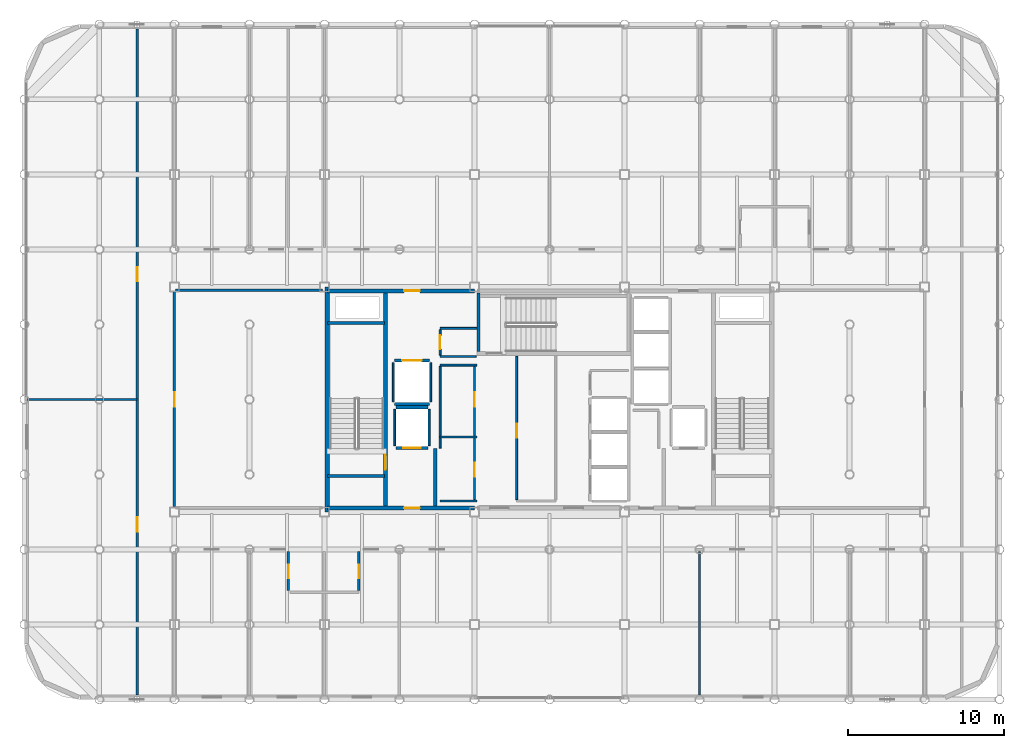
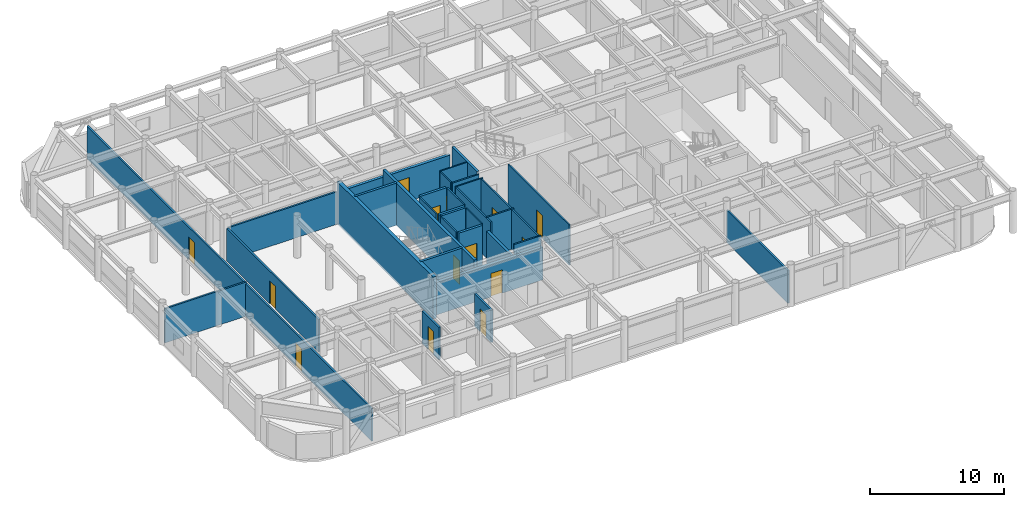
# One storey, part 18 of 22: 32 walls, 14 doors, 14 openings.
"""IFC4 building model written with IfcOpenShell, lengths in metres."""

from ifc_helpers import new_model, si_unit, direction, frame, frame_2d, origin, place, context, subcontext, project, spatial, rectangle, extrude, material, layer, layer_set, type_object, element, fill, save


model = new_model("IFC4")

# Units and contexts
model_context = context("Model", 3, precision=1e-05, world=origin(), true_north=direction((0.0, 1.0)))
body_context = subcontext(model_context, "Body", "Model", "MODEL_VIEW")
ifc_project = project(units=[si_unit("LENGTHUNIT", "METRE"), si_unit("AREAUNIT", "SQUARE_METRE"), si_unit("VOLUMEUNIT", "CUBIC_METRE"), si_unit("PLANEANGLEUNIT", "RADIAN"), si_unit("MASSUNIT", "GRAM", prefix="KILO")], contexts=[model_context])

# Site, building, storey
site_placement = place(None, origin())
site = spatial("IfcSite", under=ifc_project, at=site_placement, CompositionType="ELEMENT")
building_placement = place(site_placement, origin())
building = spatial("IfcBuilding", under=site, at=building_placement, Name="Kallvorn Hotel Tower", CompositionType="ELEMENT")
storey_placement = place(building_placement, frame((0.0, 0.0, 260.800048828125)))
storey = spatial("IfcBuildingStorey", under=building, at=storey_placement, Name="L65", CompositionType="ELEMENT", Elevation=260.800048828125)

# Wall
ifc_material_1 = material(Name="Concrete C50/60", Category="concrete")
ifc_layer_1 = layer(ifc_material_1, 0.300048828125)
ifc_layer_set_1 = layer_set([ifc_layer_1], Name="WL_CORE_300")
wall_type_1 = type_object("IfcWallType", Name="WL_CORE_300", PredefinedType="SHEAR", material=ifc_layer_set_1)
wall_1_placement = place(storey_placement, frame((-14.215087890625, -7.199951171875, -0.179931640625), z_axis=(0.0, 0.0, 1.0), x_axis=(0.0, 1.0, 0.0)))
element("IfcWall", 1, at=wall_1_placement, inside=storey, type_object=wall_type_1, Name="L65 Core West Shear Wall", PredefinedType="SHEAR", context=body_context, shape_type="SweptSolid", body=[
    extrude(rectangle(XDim=14.39990234375, YDim=0.300048828125, at=frame_2d((7.199951171875, 0.0))), origin(), (0.0, 0.0, 1.0), 3.849853515625),
])

# Wall, opening, door
ifc_material_2 = material(Name="Fire-rated double-layer acoustic gypsum drywall EI 60")
ifc_layer_2 = layer(ifc_material_2, 0.159912109375)
ifc_layer_set_2 = layer_set([ifc_layer_2], Name="WL_DEMISE_160")
wall_type_2 = type_object("IfcWallType", Name="WL_DEMISE_160", PredefinedType="PARTITIONING", material=ifc_layer_set_2)
wall_2_placement = place(storey_placement, frame((-16.705078125, -12.235107421875, 0.0), z_axis=(0.0, 0.0, 1.0), x_axis=(0.0, 1.0, 0.0)))
wall_2 = element("IfcWall", 2, at=wall_2_placement, inside=storey, type_object=wall_type_2, Name="L65 Suite 6501 Superior Twin Room Partition", PredefinedType="PARTITIONING", context=body_context, shape_type="SweptSolid", body=[
    extrude(rectangle(XDim=2.51513671875, YDim=0.159912109375, at=frame_2d((1.257568359375, 0.0))), origin(), (0.0, 0.0, 1.0), 2.969970703125),
])
opening_1_placement = place(wall_2_placement, frame((0.784912109375, 0.0, 0.0)))
opening_1 = element("IfcOpeningElement", 3, at=opening_1_placement, cuts=wall_2, Name="Opening BD-I", PredefinedType="OPENING", context=body_context, shape_type="SweptSolid", body=[
    extrude(rectangle(XDim=0.860107421875, YDim=2.10009765625, at=frame_2d((0.43017578125, 1.050048828125))), frame((0.0, 0.094970703125, 0.0), z_axis=(0.0, -1.0, 0.0), x_axis=(1.0, 0.0, 0.0)), (0.0, 0.0, 1.0), 0.18994140625),
])
ifc_material_3 = material(Name="Solid-core walnut veneer fire-rated timber door leaf", Category="wood")
door_type_1 = type_object("IfcDoorType", Name="DR_BATH_860x2100", OperationType="NOTDEFINED", PredefinedType="DOOR", material=ifc_material_3)
door_1_placement = place(opening_1_placement, origin())
door_1 = element("IfcDoor", 4, at=door_1_placement, inside=storey, type_object=door_type_1, Name="L65 Suite 6501 En-Suite Bathroom Door", OperationType="SINGLE_SWING_LEFT", OverallHeight=2.10009765625, OverallWidth=0.860107421875, PredefinedType="DOOR", context=body_context, shape_type="SweptSolid", body=[
    extrude(rectangle(XDim=0.860107421875, YDim=2.10009765625, at=frame_2d((0.43017578125, 1.050048828125))), frame((0.0, 0.02490234375, 0.0), z_axis=(0.0, -1.0, 0.0), x_axis=(1.0, 0.0, 0.0)), (0.0, 0.0, 1.0), 0.050048828125),
])
fill(opening_1, door_1)

wall_3_placement = place(storey_placement, frame((-12.18994140625, -12.235107421875, 0.0), z_axis=(0.0, 0.0, 1.0), x_axis=(0.0, 1.0, 0.0)))
wall_3 = element("IfcWall", 5, at=wall_3_placement, inside=storey, type_object=wall_type_2, Name="L65 Suite 6502 Superior Twin Room Partition", PredefinedType="PARTITIONING", context=body_context, shape_type="SweptSolid", body=[
    extrude(rectangle(XDim=2.51513671875, YDim=0.159912109375, at=frame_2d((1.257568359375, 0.0))), origin(), (0.0, 0.0, 1.0), 2.969970703125),
])
opening_2_placement = place(wall_3_placement, frame((0.784912109375, 0.0, 0.0)))
opening_2 = element("IfcOpeningElement", 6, at=opening_2_placement, cuts=wall_3, Name="Opening BD-I", PredefinedType="OPENING", context=body_context, shape_type="SweptSolid", body=[
    extrude(rectangle(XDim=0.860107421875, YDim=2.10009765625, at=frame_2d((0.43017578125, 1.050048828125))), frame((0.0, 0.094970703125, 0.0), z_axis=(0.0, -1.0, 0.0), x_axis=(1.0, 0.0, 0.0)), (0.0, 0.0, 1.0), 0.18994140625),
])
door_2_placement = place(opening_2_placement, origin())
door_2 = element("IfcDoor", 7, at=door_2_placement, inside=storey, type_object=door_type_1, Name="L65 Suite 6502 En-Suite Bathroom Door", OperationType="SINGLE_SWING_RIGHT", OverallHeight=2.10009765625, OverallWidth=0.860107421875, PredefinedType="DOOR", context=body_context, shape_type="SweptSolid", body=[
    extrude(rectangle(XDim=0.860107421875, YDim=2.10009765625, at=frame_2d((0.43017578125, 1.050048828125))), frame((0.0, 0.02490234375, 0.0), z_axis=(0.0, -1.0, 0.0), x_axis=(1.0, 0.0, 0.0)), (0.0, 0.0, 1.0), 0.050048828125),
])
fill(opening_2, door_2)

# Walls
ifc_material_4 = material(Name="Concrete C40/50", Category="concrete")
ifc_layer_3 = layer(ifc_material_4, 0.219970703125)
ifc_layer_set_3 = layer_set([ifc_layer_3], Name="WL_FFL_220")
wall_type_3 = type_object("IfcWallType", Name="WL_FFL_220", PredefinedType="SOLIDWALL", material=ifc_layer_set_3)
wall_4_placement = place(storey_placement, frame((-7.300048828125, -6.820068359375, 0.0), z_axis=(0.0, 0.0, 1.0), x_axis=(0.0, 1.0, 0.0)))
element("IfcWall", 8, at=wall_4_placement, inside=storey, type_object=wall_type_3, Name="L65 Firefighting Lobby West Divider Wall", PredefinedType="SOLIDWALL", context=body_context, shape_type="SweptSolid", body=[
    extrude(rectangle(XDim=3.670166015625, YDim=0.219970703125, at=frame_2d((1.8349609375, 0.0))), origin(), (0.0, 0.0, 1.0), 2.969970703125),
])
ifc_material_5 = material(Name="Concrete C40/50", Category="concrete")
ifc_layer_4 = layer(ifc_material_5, 0.199951171875)
ifc_layer_set_4 = layer_set([ifc_layer_4], Name="WL_HOIST_200")
wall_type_4 = type_object("IfcWallType", Name="WL_HOIST_200", PredefinedType="SOLIDWALL", material=ifc_layer_set_4)
for number, where, z_axis, x_axis, name in (
    (9, (-14.199951171875, -4.89990234375, -0.179931640625), (0.0, 0.0, 1.0), (1.0, 0.0, 0.0), "L65 Stair ST1 South Wall"),
    (10, (-14.199951171875, 4.89990234375, -0.179931640625), (0.0, 0.0, 1.0), (1.0, 0.0, 0.0), "L65 Stair ST1 North Wall"),
):
    element("IfcWall", number, at=place(storey_placement, frame(where, z_axis=z_axis, x_axis=x_axis)), inside=storey, type_object=wall_type_4, Name=name, PredefinedType="SOLIDWALL", context=body_context, shape_type="SweptSolid", body=[
        extrude(rectangle(XDim=3.64990234375, YDim=0.199951171875, at=frame_2d((1.824951171875, 0.0))), origin(), (0.0, 0.0, 1.0), 3.849853515625),
    ])
wall_5_placement = place(storey_placement, frame((-4.550048828125, 3.080078125, -0.179931640625), z_axis=(0.0, 0.0, 1.0), x_axis=(0.0, 1.0, 0.0)))
element("IfcWall", 11, at=wall_5_placement, inside=storey, type_object=wall_type_4, Name="L65 Stair ST3 West Wall", PredefinedType="SOLIDWALL", context=body_context, shape_type="SweptSolid", body=[
    extrude(rectangle(XDim=3.739990234375, YDim=0.199951171875, at=frame_2d((1.8701171875, 0.0))), origin(), (0.0, 0.0, 1.0), 3.849853515625),
])

# Wall, opening, door
wall_6_placement = place(storey_placement, frame((-9.820068359375, -3.10009765625, 0.0), z_axis=(0.0, 0.0, 1.0), x_axis=(1.0, 0.0, 0.0)))
wall_6 = element("IfcWall", 12, at=wall_6_placement, inside=storey, type_object=wall_type_4, Name="L65 FL-1 Landing Wall", PredefinedType="SOLIDWALL", context=body_context, shape_type="SweptSolid", body=[
    extrude(rectangle(XDim=2.0400390625, YDim=0.199951171875, at=frame_2d((1.02001953125, 0.0))), origin(), (0.0, 0.0, 1.0), 3.669921875),
])
opening_3_placement = place(wall_6_placement, frame((0.469970703125, 0.0, 0.0)))
opening_3 = element("IfcOpeningElement", 13, at=opening_3_placement, cuts=wall_6, Name="Opening LD-FL-1", PredefinedType="OPENING", context=body_context, shape_type="SweptSolid", body=[
    extrude(rectangle(XDim=1.10009765625, YDim=2.199951171875, at=frame_2d((0.550048828125, 1.10009765625))), frame((0.0, 0.114990234375, 0.0), z_axis=(0.0, -1.0, 0.0), x_axis=(1.0, 0.0, 0.0)), (0.0, 0.0, 1.0), 0.22998046875),
])
ifc_material_6 = material(Name="Brushed stainless-steel automatic sliding lift landing door", Category="steel")
door_type_2 = type_object("IfcDoorType", Name="LD_PASS_1100x2200", OperationType="SLIDING_TO_LEFT", PredefinedType="DOOR", material=ifc_material_6)
door_3_placement = place(opening_3_placement, origin())
door_3 = element("IfcDoor", 14, at=door_3_placement, inside=storey, type_object=door_type_2, Name="L65 Lift Landing Sliding Door LD-FL-1", OperationType="SLIDING_TO_LEFT", OverallHeight=2.199951171875, OverallWidth=1.10009765625, PredefinedType="DOOR", context=body_context, shape_type="SweptSolid", body=[
    extrude(rectangle(XDim=1.10009765625, YDim=2.199951171875, at=frame_2d((0.550048828125, 1.10009765625))), frame((0.0, 0.02490234375, 0.0), z_axis=(0.0, -1.0, 0.0), x_axis=(1.0, 0.0, 0.0)), (0.0, 0.0, 1.0), 0.050048828125),
])
fill(opening_3, door_3)

# Wall
wall_7_placement = place(storey_placement, frame((-9.820068359375, -0.5, 0.0), z_axis=(0.0, 0.0, 1.0), x_axis=(1.0, 0.0, 0.0)))
element("IfcWall", 15, at=wall_7_placement, inside=storey, type_object=wall_type_4, Name="L65 FL-1 Rear Shaft Wall", PredefinedType="SOLIDWALL", context=body_context, shape_type="SweptSolid", body=[
    extrude(rectangle(XDim=2.0400390625, YDim=0.199951171875, at=frame_2d((1.02001953125, 0.0))), origin(), (0.0, 0.0, 1.0), 3.669921875),
])

# Wall, opening, door
wall_8_placement = place(storey_placement, frame((-9.919921875, 2.5, 0.0), z_axis=(0.0, 0.0, 1.0), x_axis=(1.0, 0.0, 0.0)))
wall_8 = element("IfcWall", 16, at=wall_8_placement, inside=storey, type_object=wall_type_4, Name="L65 SV-01 Landing Wall", PredefinedType="SOLIDWALL", context=body_context, shape_type="SweptSolid", body=[
    extrude(rectangle(XDim=2.239990234375, YDim=0.199951171875, at=frame_2d((1.1201171875, 0.0))), origin(), (0.0, 0.0, 1.0), 3.669921875),
])
opening_4_placement = place(wall_8_placement, frame((0.4951171875, 0.0, 0.0)))
opening_4 = element("IfcOpeningElement", 17, at=opening_4_placement, cuts=wall_8, Name="Opening LD-SV-01", PredefinedType="OPENING", context=body_context, shape_type="SweptSolid", body=[
    extrude(rectangle(XDim=1.25, YDim=2.25, at=frame_2d((0.625, 1.125))), frame((0.0, 0.114990234375, 0.0), z_axis=(0.0, -1.0, 0.0), x_axis=(1.0, 0.0, 0.0)), (0.0, 0.0, 1.0), 0.22998046875),
])
ifc_material_7 = material(Name="Brushed stainless-steel automatic sliding lift landing door", Category="steel")
door_type_3 = type_object("IfcDoorType", Name="LD_SERV_1250x2250", OperationType="SLIDING_TO_LEFT", PredefinedType="DOOR", material=ifc_material_7)
door_4_placement = place(opening_4_placement, origin())
door_4 = element("IfcDoor", 18, at=door_4_placement, inside=storey, type_object=door_type_3, Name="L65 Lift Landing Sliding Door LD-SV-01", OperationType="SLIDING_TO_LEFT", OverallHeight=2.25, OverallWidth=1.25, PredefinedType="DOOR", context=body_context, shape_type="SweptSolid", body=[
    extrude(rectangle(XDim=1.25, YDim=2.25, at=frame_2d((0.625, 1.125))), frame((0.0, 0.02490234375, 0.0), z_axis=(0.0, -1.0, 0.0), x_axis=(1.0, 0.0, 0.0)), (0.0, 0.0, 1.0), 0.050048828125),
])
fill(opening_4, door_4)

# Walls
wall_9_placement = place(storey_placement, frame((-9.919921875, -0.300048828125, 0.0), z_axis=(0.0, 0.0, 1.0), x_axis=(1.0, 0.0, 0.0)))
element("IfcWall", 19, at=wall_9_placement, inside=storey, type_object=wall_type_4, Name="L65 SV-01 Rear Shaft Wall", PredefinedType="SOLIDWALL", context=body_context, shape_type="SweptSolid", body=[
    extrude(rectangle(XDim=2.239990234375, YDim=0.199951171875, at=frame_2d((1.1201171875, 0.0))), origin(), (0.0, 0.0, 1.0), 3.669921875),
])
ifc_material_8 = material(Name="Fire-rated double-layer acoustic gypsum drywall EI 60")
ifc_layer_5 = layer(ifc_material_8, 0.1201171875)
ifc_layer_set_5 = layer_set([ifc_layer_5], Name="WL_INT_120")
wall_type_5 = type_object("IfcWallType", Name="WL_INT_120", PredefinedType="PARTITIONING", material=ifc_layer_set_5)
for number, where, z_axis, x_axis, name in (
    (20, (-9.89990234375, -2.9599609375, 0.0), (0.0, 0.0, 1.0), (0.0, 1.0, 0.0), "L65 FL-1 West Shaft Wall"),
    (21, (-7.699951171875, -2.9599609375, 0.0), (0.0, 0.0, 1.0), (0.0, 1.0, 0.0), "L65 FL-1 East Shaft Wall"),
):
    element("IfcWall", number, at=place(storey_placement, frame(where, z_axis=z_axis, x_axis=x_axis)), inside=storey, type_object=wall_type_5, Name=name, PredefinedType="PARTITIONING", context=body_context, shape_type="SweptSolid", body=[
        extrude(rectangle(XDim=2.320068359375, YDim=0.1201171875, at=frame_2d((1.16015625, 0.0))), origin(), (0.0, 0.0, 1.0), 3.669921875),
    ])
for number, where, z_axis, x_axis, name in (
    (22, (-10.0, -0.159912109375, 0.0), (0.0, 0.0, 1.0), (0.0, 1.0, 0.0), "L65 SV-01 West Shaft Wall"),
    (23, (-7.60009765625, -0.159912109375, 0.0), (0.0, 0.0, 1.0), (0.0, 1.0, 0.0), "L65 SV-01 East Shaft Wall"),
):
    element("IfcWall", number, at=place(storey_placement, frame(where, z_axis=z_axis, x_axis=x_axis)), inside=storey, type_object=wall_type_5, Name=name, PredefinedType="PARTITIONING", context=body_context, shape_type="SweptSolid", body=[
        extrude(rectangle(XDim=2.52001953125, YDim=0.1201171875, at=frame_2d((1.260009765625, 0.0))), origin(), (0.0, 0.0, 1.0), 3.669921875),
    ])
for number, where, z_axis, x_axis, name in (
    (24, (-7.0, -6.5, 0.0), (0.0, 0.0, 1.0), (1.0, 0.0, 0.0), "L65 Recaptured South Minibar Pantry Partition"),
    (25, (-7.0, -2.39990234375, 0.0), (0.0, 0.0, 1.0), (1.0, 0.0, 0.0), "L65 Recaptured Central Linen Store Partition"),
    (26, (-7.0, 2.199951171875, 0.0), (0.0, 0.0, 1.0), (1.0, 0.0, 0.0), "L65 Recaptured Central Linen Store Partition"),
):
    element("IfcWall", number, at=place(storey_placement, frame(where, z_axis=z_axis, x_axis=x_axis)), inside=storey, type_object=wall_type_5, Name=name, PredefinedType="PARTITIONING", context=body_context, shape_type="SweptSolid", body=[
        extrude(rectangle(XDim=2.35009765625, YDim=0.1201171875, at=frame_2d((1.175048828125, 0.0))), origin(), (0.0, 0.0, 1.0), 3.669921875),
    ])
wall_10_placement = place(storey_placement, frame((-7.0, 2.75, 0.0), z_axis=(0.0, 0.0, 1.0), x_axis=(1.0, 0.0, 0.0)))
element("IfcWall", 27, at=wall_10_placement, inside=storey, type_object=wall_type_5, Name="L65 Recaptured North Valet Closet Partition", PredefinedType="PARTITIONING", context=body_context, shape_type="SweptSolid", body=[
    extrude(rectangle(XDim=2.31005859375, YDim=0.1201171875, at=frame_2d((1.155029296875, 0.0))), origin(), (0.0, 0.0, 1.0), 3.669921875),
])
wall_11_placement = place(storey_placement, frame((-7.0, 4.550048828125, 0.0), z_axis=(0.0, 0.0, 1.0), x_axis=(1.0, 0.0, 0.0)))
element("IfcWall", 28, at=wall_11_placement, inside=storey, type_object=wall_type_5, Name="L65 Recaptured North Valet Closet Partition", PredefinedType="PARTITIONING", context=body_context, shape_type="SweptSolid", body=[
    extrude(rectangle(XDim=2.35009765625, YDim=0.1201171875, at=frame_2d((1.175048828125, 0.0))), origin(), (0.0, 0.0, 1.0), 3.669921875),
])
wall_12_placement = place(storey_placement, frame((-7.0, -3.110107421875, 0.0), z_axis=(0.0, 0.0, 1.0), x_axis=(0.0, 1.0, 0.0)))
element("IfcWall", 29, at=wall_12_placement, inside=storey, type_object=wall_type_5, Name="L65 Recaptured South Minibar Pantry Partition", PredefinedType="PARTITIONING", context=body_context, shape_type="SweptSolid", body=[
    extrude(rectangle(XDim=5.22509765625, YDim=0.1201171875, at=frame_2d((2.612548828125, 0.0))), origin(), (0.0, 0.0, 1.0), 3.669921875),
])

# Wall, opening, door
wall_13_placement = place(storey_placement, frame((-7.0, 2.8349609375, 0.0), z_axis=(0.0, 0.0, 1.0), x_axis=(0.0, 1.0, 0.0)))
wall_13 = element("IfcWall", 30, at=wall_13_placement, inside=storey, type_object=wall_type_5, Name="L65 Recaptured North Valet Closet Partition", PredefinedType="PARTITIONING", context=body_context, shape_type="SweptSolid", body=[
    extrude(rectangle(XDim=1.630126953125, YDim=0.1201171875, at=frame_2d((0.81494140625, 0.0))), origin(), (0.0, 0.0, 1.0), 3.669921875),
])
opening_5_placement = place(wall_13_placement, frame((0.364990234375, 0.0, 0.0)))
opening_5 = element("IfcOpeningElement", 31, at=opening_5_placement, cuts=wall_13, Name="Opening SVD1", PredefinedType="OPENING", context=body_context, shape_type="SweptSolid", body=[
    extrude(rectangle(XDim=0.89990234375, YDim=2.10009765625, at=frame_2d((0.449951171875, 1.050048828125))), frame((0.0, 0.074951171875, 0.0), z_axis=(0.0, -1.0, 0.0), x_axis=(1.0, 0.0, 0.0)), (0.0, 0.0, 1.0), 0.150146484375),
])
ifc_material_9 = material(Name="Galvanised painted steel fire-rated door assembly", Category="steel")
door_type_4 = type_object("IfcDoorType", Name="DR_SERV_900x2100", OperationType="NOTDEFINED", PredefinedType="DOOR", material=ifc_material_9)
door_5_placement = place(opening_5_placement, origin())
door_5 = element("IfcDoor", 32, at=door_5_placement, inside=storey, type_object=door_type_4, Name="L65 Recaptured North Valet Closet Door", OperationType="SINGLE_SWING_LEFT", OverallHeight=2.10009765625, OverallWidth=0.89990234375, PredefinedType="DOOR", context=body_context, shape_type="SweptSolid", body=[
    extrude(rectangle(XDim=0.89990234375, YDim=2.10009765625, at=frame_2d((0.449951171875, 1.050048828125))), frame((0.0, 0.02490234375, 0.0), z_axis=(0.0, -1.0, 0.0), x_axis=(1.0, 0.0, 0.0)), (0.0, 0.0, 1.0), 0.050048828125),
])
fill(opening_5, door_5)

# Wall, openings, doors
wall_14_placement = place(storey_placement, frame((-4.800048828125, -6.4150390625, 0.0), z_axis=(0.0, 0.0, 1.0), x_axis=(0.0, 1.0, 0.0)))
wall_14 = element("IfcWall", 33, at=wall_14_placement, inside=storey, type_object=wall_type_5, Name="L65 Recaptured South Minibar Pantry Partition", PredefinedType="PARTITIONING", context=body_context, shape_type="SweptSolid", body=[
    extrude(rectangle(XDim=8.530029296875, YDim=0.1201171875, at=frame_2d((4.26513671875, 0.0))), origin(), (0.0, 0.0, 1.0), 3.669921875),
])
opening_6_placement = place(wall_14_placement, frame((1.465087890625, 0.0, 0.0)))
opening_6 = element("IfcOpeningElement", 34, at=opening_6_placement, cuts=wall_14, Name="Opening SVD1", PredefinedType="OPENING", context=body_context, shape_type="SweptSolid", body=[
    extrude(rectangle(XDim=0.89990234375, YDim=2.10009765625, at=frame_2d((0.449951171875, 1.050048828125))), frame((0.0, 0.074951171875, 0.0), z_axis=(0.0, -1.0, 0.0), x_axis=(1.0, 0.0, 0.0)), (0.0, 0.0, 1.0), 0.150146484375),
])
opening_7_placement = place(wall_14_placement, frame((5.965087890625, 0.0, 0.0)))
opening_7 = element("IfcOpeningElement", 35, at=opening_7_placement, cuts=wall_14, Name="Opening SVD1", PredefinedType="OPENING", context=body_context, shape_type="SweptSolid", body=[
    extrude(rectangle(XDim=0.89990234375, YDim=2.10009765625, at=frame_2d((0.449951171875, 1.050048828125))), frame((0.0, 0.074951171875, 0.0), z_axis=(0.0, -1.0, 0.0), x_axis=(1.0, 0.0, 0.0)), (0.0, 0.0, 1.0), 0.150146484375),
])
door_6_placement = place(opening_6_placement, origin())
door_6 = element("IfcDoor", 36, at=door_6_placement, inside=storey, type_object=door_type_4, Name="L65 Recaptured South Minibar Pantry Door", OperationType="SINGLE_SWING_RIGHT", OverallHeight=2.10009765625, OverallWidth=0.89990234375, PredefinedType="DOOR", context=body_context, shape_type="SweptSolid", body=[
    extrude(rectangle(XDim=0.89990234375, YDim=2.10009765625, at=frame_2d((0.449951171875, 1.050048828125))), frame((0.0, 0.02490234375, 0.0), z_axis=(0.0, -1.0, 0.0), x_axis=(1.0, 0.0, 0.0)), (0.0, 0.0, 1.0), 0.050048828125),
])
fill(opening_6, door_6)
door_7_placement = place(opening_7_placement, origin())
door_7 = element("IfcDoor", 37, at=door_7_placement, inside=storey, type_object=door_type_4, Name="L65 Recaptured Central Linen Store Door", OperationType="SINGLE_SWING_LEFT", OverallHeight=2.10009765625, OverallWidth=0.89990234375, PredefinedType="DOOR", context=body_context, shape_type="SweptSolid", body=[
    extrude(rectangle(XDim=0.89990234375, YDim=2.10009765625, at=frame_2d((0.449951171875, 1.050048828125))), frame((0.0, 0.02490234375, 0.0), z_axis=(0.0, -1.0, 0.0), x_axis=(1.0, 0.0, 0.0)), (0.0, 0.0, 1.0), 0.050048828125),
])
fill(opening_7, door_7)

# Wall, opening, door
wall_15_placement = place(storey_placement, frame((-2.10009765625, -6.4150390625, 0.0), z_axis=(0.0, 0.0, 1.0), x_axis=(0.0, 1.0, 0.0)))
wall_15 = element("IfcWall", 38, at=wall_15_placement, inside=storey, type_object=wall_type_5, Name="L65 Altitude Executive Pantry and Ice Room Partition", PredefinedType="PARTITIONING", context=body_context, shape_type="SweptSolid", body=[
    extrude(rectangle(XDim=9.1650390625, YDim=0.1201171875, at=frame_2d((4.58251953125, 0.0))), origin(), (0.0, 0.0, 1.0), 3.669921875),
])
opening_8_placement = place(wall_15_placement, frame((3.965087890625, 0.0, 0.0)))
opening_8 = element("IfcOpeningElement", 39, at=opening_8_placement, cuts=wall_15, Name="Opening SVD1", PredefinedType="OPENING", context=body_context, shape_type="SweptSolid", body=[
    extrude(rectangle(XDim=0.89990234375, YDim=2.10009765625, at=frame_2d((0.449951171875, 1.050048828125))), frame((0.0, 0.074951171875, 0.0), z_axis=(0.0, -1.0, 0.0), x_axis=(1.0, 0.0, 0.0)), (0.0, 0.0, 1.0), 0.150146484375),
])
door_8_placement = place(opening_8_placement, origin())
door_8 = element("IfcDoor", 40, at=door_8_placement, inside=storey, type_object=door_type_4, Name="L65 Altitude Executive Pantry and Ice Room Door", OperationType="SINGLE_SWING_LEFT", OverallHeight=2.10009765625, OverallWidth=0.89990234375, PredefinedType="DOOR", context=body_context, shape_type="SweptSolid", body=[
    extrude(rectangle(XDim=0.89990234375, YDim=2.10009765625, at=frame_2d((0.449951171875, 1.050048828125))), frame((0.0, 0.02490234375, 0.0), z_axis=(0.0, -1.0, 0.0), x_axis=(1.0, 0.0, 0.0)), (0.0, 0.0, 1.0), 0.050048828125),
])
fill(opening_8, door_8)

# Walls
ifc_material_10 = material(Name="Fire-rated double-layer acoustic gypsum drywall EI 60")
ifc_layer_6 = layer(ifc_material_10, 0.14990234375)
ifc_layer_set_6 = layer_set([ifc_layer_6], Name="WL_PART_150")
wall_type_6 = type_object("IfcWallType", Name="WL_PART_150", PredefinedType="PARTITIONING", material=ifc_layer_set_6)
wall_16_placement = place(storey_placement, frame((-33.429931640625, 0.0, 0.0), z_axis=(0.0, 0.0, 1.0), x_axis=(1.0, 0.0, 0.0)))
element("IfcWall", 41, at=wall_16_placement, inside=storey, type_object=wall_type_6, Name="L65 L65 Outer West North Fitness Club Partition", PredefinedType="PARTITIONING", context=body_context, shape_type="SweptSolid", body=[
    extrude(rectangle(XDim=7.050048828125, YDim=0.14990234375, at=frame_2d((3.52490234375, 0.0))), origin(), (0.0, 0.0, 1.0), 3.119873046875),
])
wall_17_placement = place(storey_placement, frame((-23.919921875, 6.97998046875, 0.0), z_axis=(0.0, 0.0, 1.0), x_axis=(1.0, 0.0, 0.0)))
element("IfcWall", 42, at=wall_17_placement, inside=storey, type_object=wall_type_6, Name="L65 L65 High-Zone Inner West Club Bar Partition", PredefinedType="PARTITIONING", context=body_context, shape_type="SweptSolid", body=[
    extrude(rectangle(XDim=9.39990234375, YDim=0.14990234375, at=frame_2d((4.699951171875, 0.0))), origin(), (0.0, 0.0, 1.0), 2.969970703125),
])

# Wall, openings, doors
wall_18_placement = place(storey_placement, frame((-26.3798828125, -18.909912109375, 0.0), z_axis=(0.0, 0.0, 1.0), x_axis=(0.0, 1.0, 0.0)))
wall_18 = element("IfcWall", 43, at=wall_18_placement, inside=storey, type_object=wall_type_6, Name="L65 L65 Outer West South Cocktail Bar Partition", PredefinedType="PARTITIONING", context=body_context, shape_type="SweptSolid", body=[
    extrude(rectangle(XDim=42.619873046875, YDim=0.14990234375, at=frame_2d((21.31005859375, 0.0))), origin(), (0.0, 0.0, 1.0), 2.969970703125),
])
opening_9_placement = place(wall_18_placement, frame((10.4599609375, 0.0, 0.0)))
opening_9 = element("IfcOpeningElement", 44, at=opening_9_placement, cuts=wall_18, Name="Opening SVD1", PredefinedType="OPENING", context=body_context, shape_type="SweptSolid", body=[
    extrude(rectangle(XDim=0.89990234375, YDim=2.10009765625, at=frame_2d((0.449951171875, 1.050048828125))), frame((0.0, 0.08984375, 0.0), z_axis=(0.0, -1.0, 0.0), x_axis=(1.0, 0.0, 0.0)), (0.0, 0.0, 1.0), 0.179931640625),
])
opening_10_placement = place(wall_18_placement, frame((26.4599609375, 0.0, 0.0)))
opening_10 = element("IfcOpeningElement", 45, at=opening_10_placement, cuts=wall_18, Name="Opening SVD1", PredefinedType="OPENING", context=body_context, shape_type="SweptSolid", body=[
    extrude(rectangle(XDim=0.89990234375, YDim=2.10009765625, at=frame_2d((0.449951171875, 1.050048828125))), frame((0.0, 0.08984375, 0.0), z_axis=(0.0, -1.0, 0.0), x_axis=(1.0, 0.0, 0.0)), (0.0, 0.0, 1.0), 0.179931640625),
])
door_9_placement = place(opening_9_placement, origin())
door_9 = element("IfcDoor", 46, at=door_9_placement, inside=storey, type_object=door_type_4, Name="L65 L65 Outer West South Cocktail Bar Door", OperationType="SINGLE_SWING_RIGHT", OverallHeight=2.10009765625, OverallWidth=0.89990234375, PredefinedType="DOOR", context=body_context, shape_type="SweptSolid", body=[
    extrude(rectangle(XDim=0.89990234375, YDim=2.10009765625, at=frame_2d((0.449951171875, 1.050048828125))), frame((0.0, 0.02490234375, 0.0), z_axis=(0.0, -1.0, 0.0), x_axis=(1.0, 0.0, 0.0)), (0.0, 0.0, 1.0), 0.050048828125),
])
fill(opening_9, door_9)
door_10_placement = place(opening_10_placement, origin())
door_10 = element("IfcDoor", 47, at=door_10_placement, inside=storey, type_object=door_type_4, Name="L65 L65 Outer West North Fitness Club Door", OperationType="SINGLE_SWING_RIGHT", OverallHeight=2.10009765625, OverallWidth=0.89990234375, PredefinedType="DOOR", context=body_context, shape_type="SweptSolid", body=[
    extrude(rectangle(XDim=0.89990234375, YDim=2.10009765625, at=frame_2d((0.449951171875, 1.050048828125))), frame((0.0, 0.02490234375, 0.0), z_axis=(0.0, -1.0, 0.0), x_axis=(1.0, 0.0, 0.0)), (0.0, 0.0, 1.0), 0.050048828125),
])
fill(opening_10, door_10)

# Wall, opening, door
wall_19_placement = place(storey_placement, frame((-24.0, -6.8349609375, 0.0), z_axis=(0.0, 0.0, 1.0), x_axis=(0.0, 1.0, 0.0)))
wall_19 = element("IfcWall", 48, at=wall_19_placement, inside=storey, type_object=wall_type_6, Name="L65 L65 High-Zone Inner West Club Bar Partition", PredefinedType="PARTITIONING", context=body_context, shape_type="SweptSolid", body=[
    extrude(rectangle(XDim=13.72998046875, YDim=0.14990234375, at=frame_2d((6.864990234375, 0.0))), origin(), (0.0, 0.0, 1.0), 2.969970703125),
])
opening_11_placement = place(wall_19_placement, frame((6.385009765625, 0.0, 0.0)))
opening_11 = element("IfcOpeningElement", 49, at=opening_11_placement, cuts=wall_19, Name="Opening SVD1", PredefinedType="OPENING", context=body_context, shape_type="SweptSolid", body=[
    extrude(rectangle(XDim=0.89990234375, YDim=2.10009765625, at=frame_2d((0.449951171875, 1.050048828125))), frame((0.0, 0.08984375, 0.0), z_axis=(0.0, -1.0, 0.0), x_axis=(1.0, 0.0, 0.0)), (0.0, 0.0, 1.0), 0.179931640625),
])
door_11_placement = place(opening_11_placement, origin())
door_11 = element("IfcDoor", 50, at=door_11_placement, inside=storey, type_object=door_type_4, Name="L65 L65 High-Zone Inner West Club Bar Door", OperationType="SINGLE_SWING_RIGHT", OverallHeight=2.10009765625, OverallWidth=0.89990234375, PredefinedType="DOOR", context=body_context, shape_type="SweptSolid", body=[
    extrude(rectangle(XDim=0.89990234375, YDim=2.10009765625, at=frame_2d((0.449951171875, 1.050048828125))), frame((0.0, 0.02490234375, 0.0), z_axis=(0.0, -1.0, 0.0), x_axis=(1.0, 0.0, 0.0)), (0.0, 0.0, 1.0), 0.050048828125),
])
fill(opening_11, door_11)

# Wall
wall_20_placement = place(storey_placement, frame((9.60009765625, -18.909912109375, 0.0), z_axis=(0.0, 0.0, 1.0), x_axis=(0.0, 1.0, 0.0)))
element("IfcWall", 51, at=wall_20_placement, inside=storey, type_object=wall_type_6, Name="L65 L65 Executive Collectors Library Club 4 Partition", PredefinedType="PARTITIONING", context=body_context, shape_type="SweptSolid", body=[
    extrude(rectangle(XDim=9.18994140625, YDim=0.14990234375, at=frame_2d((4.594970703125, 0.0))), origin(), (0.0, 0.0, 1.0), 2.969970703125),
])

# Wall, opening, door
ifc_material_11 = material(Name="Concrete C40/50", Category="concrete")
ifc_layer_7 = layer(ifc_material_11, 0.25)
ifc_layer_set_7 = layer_set([ifc_layer_7], Name="WL_SHAFT_250")
wall_type_7 = type_object("IfcWallType", Name="WL_SHAFT_250", PredefinedType="SOLIDWALL", material=ifc_layer_set_7)
wall_21_placement = place(storey_placement, frame((-14.199951171875, -6.949951171875, 0.0), z_axis=(0.0, 0.0, 1.0), x_axis=(1.0, 0.0, 0.0)))
wall_21 = element("IfcWall", 52, at=wall_21_placement, inside=storey, type_object=wall_type_7, Name="L65 Core South-West Wall", PredefinedType="SOLIDWALL", context=body_context, shape_type="SweptSolid", body=[
    extrude(rectangle(XDim=9.39990234375, YDim=0.25, at=frame_2d((4.699951171875, 0.0))), origin(), (0.0, 0.0, 1.0), 2.969970703125),
])
opening_12_placement = place(wall_21_placement, frame((4.89990234375, 0.0, 0.0)))
opening_12 = element("IfcOpeningElement", 53, at=opening_12_placement, cuts=wall_21, Name="Opening FD1", PredefinedType="OPENING", context=body_context, shape_type="SweptSolid", body=[
    extrude(rectangle(XDim=1.0, YDim=2.14990234375, at=frame_2d((0.5, 1.074951171875))), frame((0.0, 0.139892578125, 0.0), z_axis=(0.0, -1.0, 0.0), x_axis=(1.0, 0.0, 0.0)), (0.0, 0.0, 1.0), 0.280029296875),
])
ifc_material_12 = material(Name="Galvanised painted steel fire-rated door assembly", Category="steel")
door_type_5 = type_object("IfcDoorType", Name="DR_FFL_1000x2150", OperationType="NOTDEFINED", PredefinedType="DOOR", material=ifc_material_12)
door_12_placement = place(opening_12_placement, origin())
door_12 = element("IfcDoor", 54, at=door_12_placement, inside=storey, type_object=door_type_5, Name="L65 Firefighting Lobby West Door", OperationType="SINGLE_SWING_LEFT", OverallHeight=2.14990234375, OverallWidth=1.0, PredefinedType="DOOR", context=body_context, shape_type="SweptSolid", body=[
    extrude(rectangle(XDim=1.0, YDim=2.14990234375, at=frame_2d((0.5, 1.074951171875))), frame((0.0, 0.02490234375, 0.0), z_axis=(0.0, -1.0, 0.0), x_axis=(1.0, 0.0, 0.0)), (0.0, 0.0, 1.0), 0.050048828125),
])
fill(opening_12, door_12)

wall_22_placement = place(storey_placement, frame((-14.199951171875, 6.949951171875, 0.0), z_axis=(0.0, 0.0, 1.0), x_axis=(1.0, 0.0, 0.0)))
wall_22 = element("IfcWall", 55, at=wall_22_placement, inside=storey, type_object=wall_type_7, Name="L65 Core North-West Wall", PredefinedType="SOLIDWALL", context=body_context, shape_type="SweptSolid", body=[
    extrude(rectangle(XDim=9.39990234375, YDim=0.25, at=frame_2d((4.699951171875, 0.0))), origin(), (0.0, 0.0, 1.0), 2.969970703125),
])
opening_13_placement = place(wall_22_placement, frame((4.89990234375, 0.0, 0.0)))
opening_13 = element("IfcOpeningElement", 56, at=opening_13_placement, cuts=wall_22, Name="Opening FD1", PredefinedType="OPENING", context=body_context, shape_type="SweptSolid", body=[
    extrude(rectangle(XDim=1.0, YDim=2.14990234375, at=frame_2d((0.5, 1.074951171875))), frame((0.0, 0.139892578125, 0.0), z_axis=(0.0, -1.0, 0.0), x_axis=(1.0, 0.0, 0.0)), (0.0, 0.0, 1.0), 0.280029296875),
])
door_13_placement = place(opening_13_placement, origin())
door_13 = element("IfcDoor", 57, at=door_13_placement, inside=storey, type_object=door_type_5, Name="L65 Service Lift Lobby Door", OperationType="SINGLE_SWING_RIGHT", OverallHeight=2.14990234375, OverallWidth=1.0, PredefinedType="DOOR", context=body_context, shape_type="SweptSolid", body=[
    extrude(rectangle(XDim=1.0, YDim=2.14990234375, at=frame_2d((0.5, 1.074951171875))), frame((0.0, 0.02490234375, 0.0), z_axis=(0.0, -1.0, 0.0), x_axis=(1.0, 0.0, 0.0)), (0.0, 0.0, 1.0), 0.050048828125),
])
fill(opening_13, door_13)

wall_23_placement = place(storey_placement, frame((-10.5, -6.820068359375, -0.179931640625), z_axis=(0.0, 0.0, 1.0), x_axis=(0.0, 1.0, 0.0)))
wall_23 = element("IfcWall", 58, at=wall_23_placement, inside=storey, type_object=wall_type_7, Name="L65 Stair ST1 Shaft Wall", PredefinedType="SOLIDWALL", context=body_context, shape_type="SweptSolid", body=[
    extrude(rectangle(XDim=13.64013671875, YDim=0.25, at=frame_2d((6.820068359375, 0.0))), origin(), (0.0, 0.0, 1.0), 3.849853515625),
])
opening_14_placement = place(wall_23_placement, frame((2.320068359375, 0.0, 0.179931640625)))
opening_14 = element("IfcOpeningElement", 59, at=opening_14_placement, cuts=wall_23, Name="Opening SD1", PredefinedType="OPENING", context=body_context, shape_type="SweptSolid", body=[
    extrude(rectangle(XDim=0.949951171875, YDim=2.14990234375, at=frame_2d((0.47509765625, 1.074951171875))), frame((0.0, 0.139892578125, 0.0), z_axis=(0.0, -1.0, 0.0), x_axis=(1.0, 0.0, 0.0)), (0.0, 0.0, 1.0), 0.280029296875),
])
ifc_material_13 = material(Name="Galvanised painted steel fire-rated door assembly", Category="steel")
door_type_6 = type_object("IfcDoorType", Name="DR_STAIR_950x2150", OperationType="NOTDEFINED", PredefinedType="DOOR", material=ifc_material_13)
door_14_placement = place(opening_14_placement, origin())
door_14 = element("IfcDoor", 60, at=door_14_placement, inside=storey, type_object=door_type_6, Name="L65 Exit Stair ST1 Fire Door", OperationType="SINGLE_SWING_RIGHT", OverallHeight=2.14990234375, OverallWidth=0.949951171875, PredefinedType="DOOR", context=body_context, shape_type="SweptSolid", body=[
    extrude(rectangle(XDim=0.949951171875, YDim=2.14990234375, at=frame_2d((0.47509765625, 1.074951171875))), frame((0.0, 0.02490234375, 0.0), z_axis=(0.0, -1.0, 0.0), x_axis=(1.0, 0.0, 0.0)), (0.0, 0.0, 1.0), 0.050048828125),
])
fill(opening_14, door_14)

save(model, "model.ifc")
